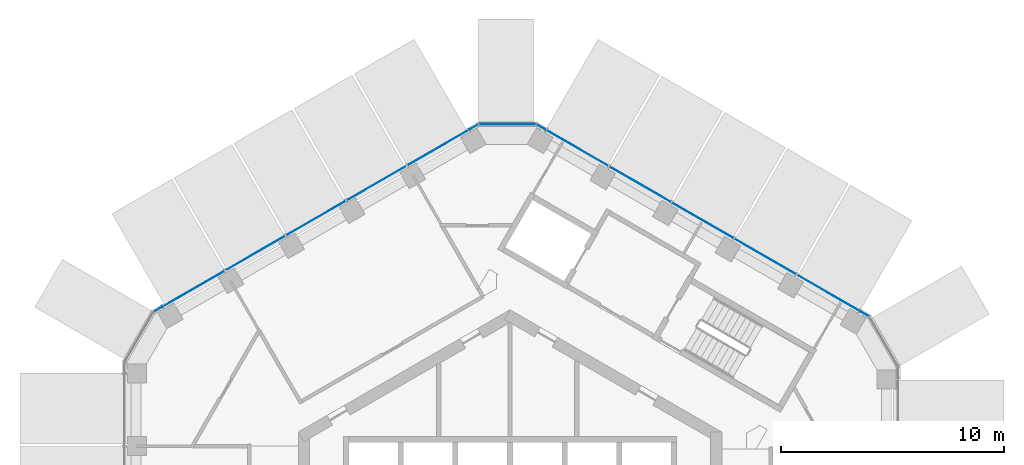
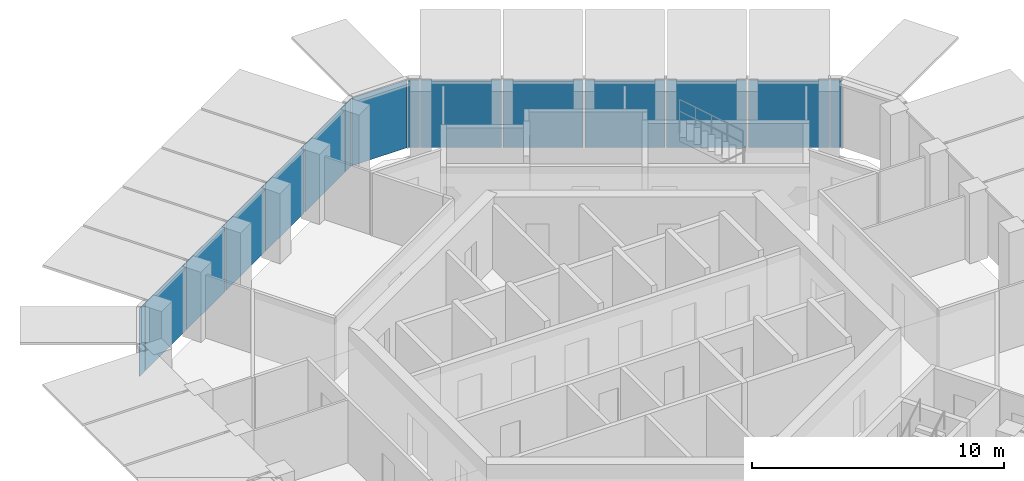
# One storey, part 11 of 17: 15 plates, 5 elements without a shape of their own.
"""IFC4 building model written with IfcOpenShell, lengths in metres."""

from ifc_helpers import new_model, si_unit, direction, frame, origin, origin_2d, place, context, subcontext, project, spatial, rectangle, extrude, material, layer, layer_set, type_object, element, aggregate, save


model = new_model("IFC4")

# Units and contexts
model_context = context("Model", 3, precision=1e-05, world=origin(), true_north=direction((0.0, 1.0)))
body_context = subcontext(model_context, "Body", "Model", "MODEL_VIEW")
ifc_project = project(units=[si_unit("LENGTHUNIT", "METRE"), si_unit("AREAUNIT", "SQUARE_METRE"), si_unit("VOLUMEUNIT", "CUBIC_METRE"), si_unit("PLANEANGLEUNIT", "RADIAN"), si_unit("MASSUNIT", "GRAM", prefix="KILO")], contexts=[model_context])

# Site, building, storey
site_placement = place(None, origin())
site = spatial("IfcSite", under=ifc_project, at=site_placement, CompositionType="ELEMENT")
building_placement = place(site_placement, origin())
building = spatial("IfcBuilding", under=site, at=building_placement, Name="Ayvan Gate Tower", CompositionType="ELEMENT")
storey_placement = place(building_placement, frame((0.0, 0.0, 225.699951171875)))
storey = spatial("IfcBuildingStorey", under=building, at=storey_placement, Name="L60", CompositionType="ELEMENT", Elevation=225.699951171875)

# Curtain wall, plates
ifc_material_1 = material(Name="Bronze anodised aluminium", Category="aluminium")
ifc_layer_1 = layer(ifc_material_1, 0.199951171875)
ifc_layer_set_1 = layer_set([ifc_layer_1], Name="Bronze anodised aluminium")
curtain_wall_type_1 = type_object("IfcCurtainWallType", Name="Stick curtain wall CW-2", PredefinedType="NOTDEFINED", material=ifc_layer_set_1)
curtain_wall_1_placement = place(storey_placement, origin())
curtain_wall_1 = element("IfcCurtainWall", 1, at=curtain_wall_1_placement, inside=storey, type_object=curtain_wall_type_1, Name="Stick curtain wall CW-2 L60", PredefinedType="NOTDEFINED")
ifc_material_2 = material(Name="Clear low-iron laminated glass", Category="glass")
ifc_layer_2 = layer(ifc_material_2, 0.028076171875)
ifc_layer_set_2 = layer_set([ifc_layer_2], Name="Clear low-iron laminated glass")
plate_type_1 = type_object("IfcPlateType", Name="Stick curtain wall CW-2 glass panel", PredefinedType="CURTAIN_PANEL", material=ifc_layer_set_2)
plate_1_placement = place(storey_placement, frame((-3.22509765625, 18.244140625, 0.0), z_axis=(0.0, 0.0, 1.0), x_axis=(-0.866025403784, -0.5, 0.0)))
plate_1 = element("IfcPlate", 2, at=plate_1_placement, type_object=plate_type_1, Name="CW-2 glass panel 1", PredefinedType="CURTAIN_PANEL", context=body_context, shape_type="SweptSolid", body=[
    extrude(rectangle(XDim=3.172119140625, YDim=0.028076171875, at=origin_2d()), origin(), (0.0, 0.0, 1.0), 3.280029296875),
])
plate_2_placement = place(storey_placement, frame((-5.98828125, 16.64892578125, 0.0), z_axis=(0.0, 0.0, 1.0), x_axis=(-0.866025403784, -0.5, 0.0)))
plate_2 = element("IfcPlate", 3, at=plate_2_placement, type_object=plate_type_1, Name="CW-2 glass panel 2", PredefinedType="CURTAIN_PANEL", context=body_context, shape_type="SweptSolid", body=[
    extrude(rectangle(XDim=3.069091796875, YDim=0.028076171875, at=origin_2d()), origin(), (0.0, 0.0, 1.0), 3.280029296875),
])
plate_3_placement = place(storey_placement, frame((-8.706298828125, 15.07958984375, 0.0), z_axis=(0.0, 0.0, 1.0), x_axis=(-0.866025403784, -0.5, 0.0)))
plate_3 = element("IfcPlate", 4, at=plate_3_placement, type_object=plate_type_1, Name="CW-2 glass panel 3", PredefinedType="CURTAIN_PANEL", context=body_context, shape_type="SweptSolid", body=[
    extrude(rectangle(XDim=3.068115234375, YDim=0.028076171875, at=origin_2d()), origin(), (0.0, 0.0, 1.0), 3.280029296875),
])
plate_4_placement = place(storey_placement, frame((-11.42431640625, 13.510498046875, 0.0), z_axis=(0.0, 0.0, 1.0), x_axis=(-0.866025403784, -0.5, 0.0)))
plate_4 = element("IfcPlate", 5, at=plate_4_placement, type_object=plate_type_1, Name="CW-2 glass panel 4", PredefinedType="CURTAIN_PANEL", context=body_context, shape_type="SweptSolid", body=[
    extrude(rectangle(XDim=3.069091796875, YDim=0.028076171875, at=origin_2d()), origin(), (0.0, 0.0, 1.0), 3.280029296875),
])
plate_5_placement = place(storey_placement, frame((-14.187255859375, 11.915283203125, 0.0), z_axis=(0.0, 0.0, 1.0), x_axis=(-0.866025403784, -0.5, 0.0)))
plate_5 = element("IfcPlate", 6, at=plate_5_placement, type_object=plate_type_1, Name="CW-2 glass panel 5", PredefinedType="CURTAIN_PANEL", context=body_context, shape_type="SweptSolid", body=[
    extrude(rectangle(XDim=3.172119140625, YDim=0.028076171875, at=origin_2d()), origin(), (0.0, 0.0, 1.0), 3.280029296875),
])
aggregate(curtain_wall_1, [plate_1, plate_2, plate_3, plate_4, plate_5])

curtain_wall_2_placement = place(storey_placement, origin())
curtain_wall_2 = element("IfcCurtainWall", 7, at=curtain_wall_2_placement, inside=storey, type_object=curtain_wall_type_1, Name="Stick curtain wall CW-2 L60", PredefinedType="NOTDEFINED")
plate_6_placement = place(storey_placement, frame((14.283935546875, 11.722412109375, 0.0), z_axis=(0.0, 0.0, 1.0), x_axis=(-0.866025403784, 0.5, 0.0)))
plate_6 = element("IfcPlate", 8, at=plate_6_placement, type_object=plate_type_1, Name="CW-2 glass panel 1", PredefinedType="CURTAIN_PANEL", context=body_context, shape_type="SweptSolid", body=[
    extrude(rectangle(XDim=3.222900390625, YDim=0.028076171875, at=origin_2d()), origin(), (0.0, 0.0, 1.0), 3.280029296875),
])
plate_7_placement = place(storey_placement, frame((11.4541015625, 13.35595703125, 0.0), z_axis=(0.0, 0.0, 1.0), x_axis=(-0.866025403784, 0.5, 0.0)))
plate_7 = element("IfcPlate", 9, at=plate_7_placement, type_object=plate_type_1, Name="CW-2 glass panel 2", PredefinedType="CURTAIN_PANEL", context=body_context, shape_type="SweptSolid", body=[
    extrude(rectangle(XDim=3.172119140625, YDim=0.028076171875, at=origin_2d()), origin(), (0.0, 0.0, 1.0), 3.280029296875),
])
plate_8_placement = place(storey_placement, frame((8.64697265625, 14.976806640625, 0.0), z_axis=(0.0, 0.0, 1.0), x_axis=(-0.866025403784, 0.5, 0.0)))
plate_8 = element("IfcPlate", 10, at=plate_8_placement, type_object=plate_type_1, Name="CW-2 glass panel 3", PredefinedType="CURTAIN_PANEL", context=body_context, shape_type="SweptSolid", body=[
    extrude(rectangle(XDim=3.1708984375, YDim=0.028076171875, at=origin_2d()), origin(), (0.0, 0.0, 1.0), 3.280029296875),
])
plate_9_placement = place(storey_placement, frame((5.83984375, 16.59765625, 0.0), z_axis=(0.0, 0.0, 1.0), x_axis=(-0.866025403784, 0.5, 0.0)))
plate_9 = element("IfcPlate", 11, at=plate_9_placement, type_object=plate_type_1, Name="CW-2 glass panel 4", PredefinedType="CURTAIN_PANEL", context=body_context, shape_type="SweptSolid", body=[
    extrude(rectangle(XDim=3.172119140625, YDim=0.028076171875, at=origin_2d()), origin(), (0.0, 0.0, 1.0), 3.280029296875),
])
plate_10_placement = place(storey_placement, frame((3.010009765625, 18.2314453125, 0.0), z_axis=(0.0, 0.0, 1.0), x_axis=(-0.866025403784, 0.5, 0.0)))
plate_10 = element("IfcPlate", 12, at=plate_10_placement, type_object=plate_type_1, Name="CW-2 glass panel 5", PredefinedType="CURTAIN_PANEL", context=body_context, shape_type="SweptSolid", body=[
    extrude(rectangle(XDim=3.22314453125, YDim=0.028076171875, at=origin_2d()), origin(), (0.0, 0.0, 1.0), 3.280029296875),
])
aggregate(curtain_wall_2, [plate_6, plate_7, plate_8, plate_9, plate_10])

# Curtain wall, plate
ifc_layer_3 = layer(ifc_material_1, 0.199951171875)
ifc_layer_set_3 = layer_set([ifc_layer_3], Name="Bronze anodised aluminium")
curtain_wall_type_2 = type_object("IfcCurtainWallType", Name="Stick curtain wall CW-6", PredefinedType="NOTDEFINED", material=ifc_layer_set_3)
curtain_wall_3_placement = place(storey_placement, origin())
curtain_wall_3 = element("IfcCurtainWall", 13, at=curtain_wall_3_placement, inside=storey, type_object=curtain_wall_type_2, Name="Stick curtain wall CW-6 L60", PredefinedType="NOTDEFINED")
ifc_layer_4 = layer(ifc_material_2, 0.028076171875)
ifc_layer_set_4 = layer_set([ifc_layer_4], Name="Clear low-iron laminated glass")
plate_type_2 = type_object("IfcPlateType", Name="Stick curtain wall CW-6 glass panel", PredefinedType="CURTAIN_PANEL", material=ifc_layer_set_4)
plate_11_placement = place(storey_placement, frame((-15.7861328125, 10.9921875, 0.0), z_axis=(0.0, 0.0, 1.0), x_axis=(-0.866025403784, -0.5, 0.0)))
plate_11 = element("IfcPlate", 14, at=plate_11_placement, type_object=plate_type_2, Name="CW-6 glass panel 1", PredefinedType="CURTAIN_PANEL", context=body_context, shape_type="SweptSolid", body=[
    extrude(rectangle(XDim=0.449951171875, YDim=0.028076171875, at=origin_2d()), origin(), (0.0, 0.0, 1.0), 3.280029296875),
])
aggregate(curtain_wall_3, [plate_11])

curtain_wall_4_placement = place(storey_placement, origin())
curtain_wall_4 = element("IfcCurtainWall", 15, at=curtain_wall_4_placement, inside=storey, type_object=curtain_wall_type_2, Name="Stick curtain wall CW-6 L60", PredefinedType="NOTDEFINED")
plate_12_placement = place(storey_placement, frame((15.90478515625, 10.78662109375, 0.0), z_axis=(0.0, 0.0, 1.0), x_axis=(-0.866025403784, 0.5, 0.0)))
plate_12 = element("IfcPlate", 16, at=plate_12_placement, type_object=plate_type_2, Name="CW-6 glass panel 3", PredefinedType="CURTAIN_PANEL", context=body_context, shape_type="SweptSolid", body=[
    extrude(rectangle(XDim=0.449951171875, YDim=0.028076171875, at=origin_2d()), origin(), (0.0, 0.0, 1.0), 3.280029296875),
])
aggregate(curtain_wall_4, [plate_12])

# Curtain wall, plates
curtain_wall_5_placement = place(storey_placement, origin())
curtain_wall_5 = element("IfcCurtainWall", 17, at=curtain_wall_5_placement, inside=storey, type_object=curtain_wall_type_2, Name="Stick curtain wall CW-6 L60", PredefinedType="NOTDEFINED")
plate_13_placement = place(storey_placement, frame((1.38916015625, 19.167236328125, 0.0), z_axis=(0.0, 0.0, 1.0), x_axis=(-0.866025403784, 0.5, 0.0)))
plate_13 = element("IfcPlate", 18, at=plate_13_placement, type_object=plate_type_2, Name="CW-6 glass panel 1", PredefinedType="CURTAIN_PANEL", context=body_context, shape_type="SweptSolid", body=[
    extrude(rectangle(XDim=0.449951171875, YDim=0.028076171875, at=origin_2d()), origin(), (0.0, 0.0, 1.0), 3.280029296875),
])
plate_14_placement = place(storey_placement, frame((-0.11865234375, 19.292236328125, 0.0), z_axis=(0.0, 0.0, 1.0), x_axis=(-1.0, 0.0, 0.0)))
plate_14 = element("IfcPlate", 19, at=plate_14_placement, type_object=plate_type_2, Name="CW-6 glass panel 2", PredefinedType="CURTAIN_PANEL", context=body_context, shape_type="SweptSolid", body=[
    extrude(rectangle(XDim=2.532470703125, YDim=0.028076171875, at=origin_2d()), origin(), (0.0, 0.0, 1.0), 3.280029296875),
])
plate_15_placement = place(storey_placement, frame((-1.62646484375, 19.167236328125, 0.0), z_axis=(0.0, 0.0, 1.0), x_axis=(-0.866025403784, -0.5, 0.0)))
plate_15 = element("IfcPlate", 20, at=plate_15_placement, type_object=plate_type_2, Name="CW-6 glass panel 3", PredefinedType="CURTAIN_PANEL", context=body_context, shape_type="SweptSolid", body=[
    extrude(rectangle(XDim=0.449951171875, YDim=0.028076171875, at=origin_2d()), origin(), (0.0, 0.0, 1.0), 3.280029296875),
])
aggregate(curtain_wall_5, [plate_13, plate_14, plate_15])

save(model, "model.ifc")
